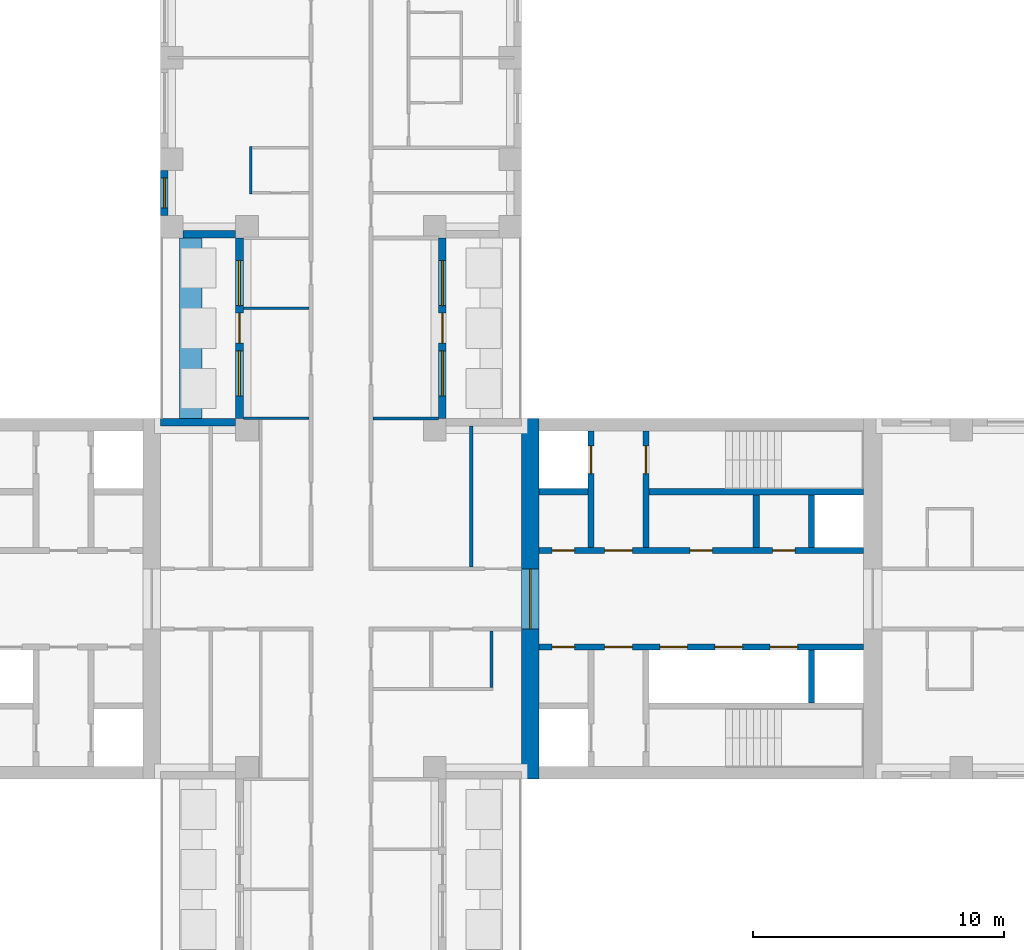
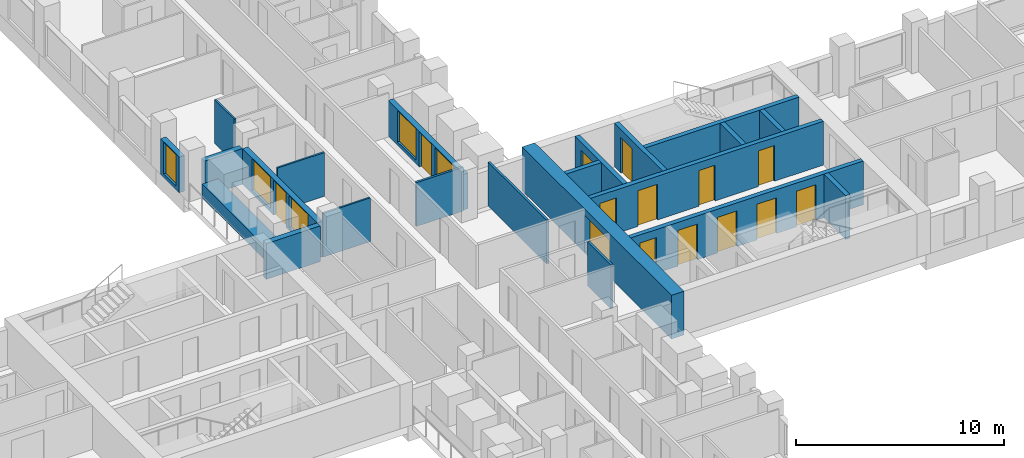
# One storey, part 8 of 15: 22 walls, 14 doors, 5 windows, 19 openings.
"""IFC4 building model written with IfcOpenShell, lengths in metres."""

from ifc_helpers import new_model, si_unit, direction, frame, frame_2d, origin, place, context, subcontext, project, spatial, rectangle, extrude, material, layer, layer_set, type_object, element, fill, save


model = new_model("IFC4")

# Units and contexts
model_context = context("Model", 3, precision=1e-05, world=origin(), true_north=direction((0.0, 1.0)))
body_context = subcontext(model_context, "Body", "Model", "MODEL_VIEW")
ifc_project = project(units=[si_unit("LENGTHUNIT", "METRE"), si_unit("AREAUNIT", "SQUARE_METRE"), si_unit("VOLUMEUNIT", "CUBIC_METRE"), si_unit("PLANEANGLEUNIT", "RADIAN"), si_unit("MASSUNIT", "GRAM", prefix="KILO")], contexts=[model_context])

# Site, building, storey
site_placement = place(None, origin())
site = spatial("IfcSite", under=ifc_project, at=site_placement, CompositionType="ELEMENT")
building_placement = place(site_placement, origin())
building = spatial("IfcBuilding", under=site, at=building_placement, Name="Fustian Cross Tower", CompositionType="ELEMENT")
storey_placement = place(building_placement, frame((0.0, 0.0, 53.699951171875)))
storey = spatial("IfcBuildingStorey", under=building, at=storey_placement, Name="L16", CompositionType="ELEMENT", Elevation=53.699951171875)

# Wall, opening, door
ifc_material_1 = material(Name="Concrete C80/95", Category="concrete")
ifc_layer_1 = layer(ifc_material_1, 0.699951171875)
ifc_layer_set_1 = layer_set([ifc_layer_1], Name="Concrete C80/95")
wall_type_1 = type_object("IfcWallType", Name="CORE END WALL 700 C80/95", PredefinedType="SHEAR", material=ifc_layer_set_1)
wall_1_placement = place(storey_placement, frame((7.550048828125, -7.199951171875, 0.0), z_axis=(0.0, 0.0, 1.0), x_axis=(0.0, 1.0, 0.0)))
wall_1 = element("IfcWall", 1, at=wall_1_placement, inside=storey, type_object=wall_type_1, Name="Core end wall", PredefinedType="SHEAR", context=body_context, shape_type="SweptSolid", body=[
    extrude(rectangle(XDim=14.39990234375, YDim=0.699951171875, at=frame_2d((7.199951171875, 0.0))), origin(), (0.0, 0.0, 1.0), 2.574951171875),
])
opening_1_placement = place(wall_1_placement, frame((6.0, 0.0, 0.0)))
opening_1 = element("IfcOpeningElement", 2, at=opening_1_placement, cuts=wall_1, Name="Opening CD-06-12", PredefinedType="OPENING", context=body_context, shape_type="SweptSolid", body=[
    extrude(rectangle(XDim=2.39990234375, YDim=2.199951171875, at=frame_2d((1.199951171875, 1.10009765625))), frame((0.0, 0.35986328125, 0.0), z_axis=(0.0, -1.0, 0.0), x_axis=(1.0, 0.0, 0.0)), (0.0, 0.0, 1.0), 0.719970703125),
])
ifc_material_2 = material(Name="Steel", Category="steel")
door_type_1 = type_object("IfcDoorType", Name="FIRE DOOR FD30S DOUBLE 2400X2200", OperationType="DOUBLE_DOOR_DOUBLE_SWING", PredefinedType="DOOR", material=ifc_material_2)
door_1_placement = place(opening_1_placement, frame((2.39990234375, 0.0, 0.0), z_axis=(0.0, 0.0, 1.0), x_axis=(-1.0, 0.0, 0.0)))
door_1 = element("IfcDoor", 3, at=door_1_placement, inside=storey, type_object=door_type_1, Name="Core door CD-06-12", OperationType="DOUBLE_DOOR_DOUBLE_SWING", OverallHeight=2.199951171875, OverallWidth=2.39990234375, PredefinedType="DOOR", context=body_context, shape_type="SweptSolid", body=[
    extrude(rectangle(XDim=2.39990234375, YDim=2.199951171875, at=frame_2d((1.199951171875, 1.10009765625))), frame((0.0, 0.02490234375, 0.0), z_axis=(0.0, -1.0, 0.0), x_axis=(1.0, 0.0, 0.0)), (0.0, 0.0, 1.0), 0.050048828125),
])
fill(opening_1, door_1)

# Wall, openings, doors
ifc_material_3 = material(Name="Concrete C50/60", Category="concrete")
ifc_layer_2 = layer(ifc_material_3, 0.25)
ifc_layer_set_2 = layer_set([ifc_layer_2], Name="Concrete C50/60")
wall_type_2 = type_object("IfcWallType", Name="CORE LOBBY WALL 250 C50/60", PredefinedType="SHEAR", material=ifc_layer_set_2)
wall_2_placement = place(storey_placement, frame((7.89990234375, 1.925048828125, 0.0), z_axis=(0.0, 0.0, 1.0), x_axis=(1.0, 0.0, 0.0)))
wall_2 = element("IfcWall", 4, at=wall_2_placement, inside=storey, type_object=wall_type_2, Name="Core lobby wall", PredefinedType="SHEAR", context=body_context, shape_type="SweptSolid", body=[
    extrude(rectangle(XDim=12.9501953125, YDim=0.25, at=frame_2d((6.47509765625, 0.0))), origin(), (0.0, 0.0, 1.0), 2.574951171875),
])
opening_2_placement = place(wall_2_placement, frame((0.52490234375, 0.0, 0.0)))
opening_2 = element("IfcOpeningElement", 5, at=opening_2_placement, cuts=wall_2, Name="Opening CD-06-08", PredefinedType="OPENING", context=body_context, shape_type="SweptSolid", body=[
    extrude(rectangle(XDim=0.89990234375, YDim=2.10009765625, at=frame_2d((0.449951171875, 1.050048828125))), frame((0.0, 0.135009765625, 0.0), z_axis=(0.0, -1.0, 0.0), x_axis=(1.0, 0.0, 0.0)), (0.0, 0.0, 1.0), 0.27001953125),
])
opening_3_placement = place(wall_2_placement, frame((2.625, 0.0, 0.0)))
opening_3 = element("IfcOpeningElement", 6, at=opening_3_placement, cuts=wall_2, Name="Opening CD-06-10", PredefinedType="OPENING", context=body_context, shape_type="SweptSolid", body=[
    extrude(rectangle(XDim=1.10009765625, YDim=2.10009765625, at=frame_2d((0.550048828125, 1.050048828125))), frame((0.0, 0.135009765625, 0.0), z_axis=(0.0, -1.0, 0.0), x_axis=(1.0, 0.0, 0.0)), (0.0, 0.0, 1.0), 0.27001953125),
])
opening_4_placement = place(wall_2_placement, frame((6.02490234375, 0.0, 0.0)))
opening_4 = element("IfcOpeningElement", 7, at=opening_4_placement, cuts=wall_2, Name="Opening CD-06-14", PredefinedType="OPENING", context=body_context, shape_type="SweptSolid", body=[
    extrude(rectangle(XDim=0.89990234375, YDim=2.10009765625, at=frame_2d((0.449951171875, 1.050048828125))), frame((0.0, 0.135009765625, 0.0), z_axis=(0.0, -1.0, 0.0), x_axis=(1.0, 0.0, 0.0)), (0.0, 0.0, 1.0), 0.27001953125),
])
opening_5_placement = place(wall_2_placement, frame((9.324951171875, 0.0, 0.0)))
opening_5 = element("IfcOpeningElement", 8, at=opening_5_placement, cuts=wall_2, Name="Opening CD-06-15", PredefinedType="OPENING", context=body_context, shape_type="SweptSolid", body=[
    extrude(rectangle(XDim=0.89990234375, YDim=2.10009765625, at=frame_2d((0.449951171875, 1.050048828125))), frame((0.0, 0.135009765625, 0.0), z_axis=(0.0, -1.0, 0.0), x_axis=(1.0, 0.0, 0.0)), (0.0, 0.0, 1.0), 0.27001953125),
])
ifc_material_4 = material(Name="Steel", Category="steel")
door_type_2 = type_object("IfcDoorType", Name="FIRE DOOR FD30S 900X2100", OperationType="SINGLE_SWING_LEFT", PredefinedType="DOOR", material=ifc_material_4)
door_2_placement = place(opening_4_placement, origin())
door_2 = element("IfcDoor", 9, at=door_2_placement, inside=storey, type_object=door_type_2, Name="Core door CD-06-14", OperationType="SINGLE_SWING_RIGHT", OverallHeight=2.10009765625, OverallWidth=0.89990234375, PredefinedType="DOOR", context=body_context, shape_type="SweptSolid", body=[
    extrude(rectangle(XDim=0.89990234375, YDim=2.10009765625, at=frame_2d((0.449951171875, 1.050048828125))), frame((0.0, 0.02490234375, 0.0), z_axis=(0.0, -1.0, 0.0), x_axis=(1.0, 0.0, 0.0)), (0.0, 0.0, 1.0), 0.050048828125),
])
fill(opening_4, door_2)
door_3_placement = place(opening_5_placement, origin())
door_3 = element("IfcDoor", 10, at=door_3_placement, inside=storey, type_object=door_type_2, Name="Core door CD-06-15", OperationType="SINGLE_SWING_LEFT", OverallHeight=2.10009765625, OverallWidth=0.89990234375, PredefinedType="DOOR", context=body_context, shape_type="SweptSolid", body=[
    extrude(rectangle(XDim=0.89990234375, YDim=2.10009765625, at=frame_2d((0.449951171875, 1.050048828125))), frame((0.0, 0.02490234375, 0.0), z_axis=(0.0, -1.0, 0.0), x_axis=(1.0, 0.0, 0.0)), (0.0, 0.0, 1.0), 0.050048828125),
])
fill(opening_5, door_3)
ifc_material_5 = material(Name="Steel", Category="steel")
door_type_3 = type_object("IfcDoorType", Name="FIRE DOOR FD60S 1100X2100", OperationType="SINGLE_SWING_LEFT", PredefinedType="DOOR", material=ifc_material_5)
door_4_placement = place(opening_3_placement, frame((1.10009765625, 0.0, 0.0), z_axis=(0.0, 0.0, 1.0), x_axis=(-1.0, 0.0, 0.0)))
door_4 = element("IfcDoor", 11, at=door_4_placement, inside=storey, type_object=door_type_3, Name="Core door CD-06-10", OperationType="SINGLE_SWING_RIGHT", OverallHeight=2.10009765625, OverallWidth=1.10009765625, PredefinedType="DOOR", context=body_context, shape_type="SweptSolid", body=[
    extrude(rectangle(XDim=1.10009765625, YDim=2.10009765625, at=frame_2d((0.550048828125, 1.050048828125))), frame((0.0, 0.02490234375, 0.0), z_axis=(0.0, -1.0, 0.0), x_axis=(1.0, 0.0, 0.0)), (0.0, 0.0, 1.0), 0.050048828125),
])
fill(opening_3, door_4)
ifc_material_6 = material(Name="Steel", Category="steel")
door_type_4 = type_object("IfcDoorType", Name="FIRE DOOR FD60S 900X2100", OperationType="SINGLE_SWING_LEFT", PredefinedType="DOOR", material=ifc_material_6)
door_5_placement = place(opening_2_placement, origin())
door_5 = element("IfcDoor", 12, at=door_5_placement, inside=storey, type_object=door_type_4, Name="Core door CD-06-08", OperationType="SINGLE_SWING_LEFT", OverallHeight=2.10009765625, OverallWidth=0.89990234375, PredefinedType="DOOR", context=body_context, shape_type="SweptSolid", body=[
    extrude(rectangle(XDim=0.89990234375, YDim=2.10009765625, at=frame_2d((0.449951171875, 1.050048828125))), frame((0.0, 0.02490234375, 0.0), z_axis=(0.0, -1.0, 0.0), x_axis=(1.0, 0.0, 0.0)), (0.0, 0.0, 1.0), 0.050048828125),
])
fill(opening_2, door_5)

wall_3_placement = place(storey_placement, frame((7.89990234375, -1.925048828125, 0.0), z_axis=(0.0, 0.0, 1.0), x_axis=(1.0, 0.0, 0.0)))
wall_3 = element("IfcWall", 13, at=wall_3_placement, inside=storey, type_object=wall_type_2, Name="Core lobby wall", PredefinedType="SHEAR", context=body_context, shape_type="SweptSolid", body=[
    extrude(rectangle(XDim=12.9501953125, YDim=0.25, at=frame_2d((6.47509765625, 0.0))), origin(), (0.0, 0.0, 1.0), 2.574951171875),
])
opening_6_placement = place(wall_3_placement, frame((4.824951171875, 0.0, 0.0)))
opening_6 = element("IfcOpeningElement", 14, at=opening_6_placement, cuts=wall_3, Name="Opening LD", PredefinedType="OPENING", context=body_context, shape_type="SweptSolid", body=[
    extrude(rectangle(XDim=1.10009765625, YDim=2.10009765625, at=frame_2d((0.550048828125, 1.050048828125))), frame((0.0, 0.135009765625, 0.0), z_axis=(0.0, -1.0, 0.0), x_axis=(1.0, 0.0, 0.0)), (0.0, 0.0, 1.0), 0.27001953125),
])
opening_7_placement = place(wall_3_placement, frame((7.02490234375, 0.0, 0.0)))
opening_7 = element("IfcOpeningElement", 15, at=opening_7_placement, cuts=wall_3, Name="Opening LD", PredefinedType="OPENING", context=body_context, shape_type="SweptSolid", body=[
    extrude(rectangle(XDim=1.10009765625, YDim=2.10009765625, at=frame_2d((0.550048828125, 1.050048828125))), frame((0.0, 0.135009765625, 0.0), z_axis=(0.0, -1.0, 0.0), x_axis=(1.0, 0.0, 0.0)), (0.0, 0.0, 1.0), 0.27001953125),
])
opening_8_placement = place(wall_3_placement, frame((9.22509765625, 0.0, 0.0)))
opening_8 = element("IfcOpeningElement", 16, at=opening_8_placement, cuts=wall_3, Name="Opening LD", PredefinedType="OPENING", context=body_context, shape_type="SweptSolid", body=[
    extrude(rectangle(XDim=1.10009765625, YDim=2.10009765625, at=frame_2d((0.550048828125, 1.050048828125))), frame((0.0, 0.135009765625, 0.0), z_axis=(0.0, -1.0, 0.0), x_axis=(1.0, 0.0, 0.0)), (0.0, 0.0, 1.0), 0.27001953125),
])
opening_9_placement = place(wall_3_placement, frame((0.52490234375, 0.0, 0.0)))
opening_9 = element("IfcOpeningElement", 17, at=opening_9_placement, cuts=wall_3, Name="Opening CD-06-09", PredefinedType="OPENING", context=body_context, shape_type="SweptSolid", body=[
    extrude(rectangle(XDim=0.89990234375, YDim=2.10009765625, at=frame_2d((0.449951171875, 1.050048828125))), frame((0.0, 0.135009765625, 0.0), z_axis=(0.0, -1.0, 0.0), x_axis=(1.0, 0.0, 0.0)), (0.0, 0.0, 1.0), 0.27001953125),
])
opening_10_placement = place(wall_3_placement, frame((2.625, 0.0, 0.0)))
opening_10 = element("IfcOpeningElement", 18, at=opening_10_placement, cuts=wall_3, Name="Opening CD-06-11", PredefinedType="OPENING", context=body_context, shape_type="SweptSolid", body=[
    extrude(rectangle(XDim=1.10009765625, YDim=2.10009765625, at=frame_2d((0.550048828125, 1.050048828125))), frame((0.0, 0.135009765625, 0.0), z_axis=(0.0, -1.0, 0.0), x_axis=(1.0, 0.0, 0.0)), (0.0, 0.0, 1.0), 0.27001953125),
])
ifc_material_7 = material(Name="Steel", Category="steel")
door_type_5 = type_object("IfcDoorType", Name="FIRE DOOR FD30S 1100X2100", OperationType="SINGLE_SWING_LEFT", PredefinedType="DOOR", material=ifc_material_7)
door_6_placement = place(opening_10_placement, frame((1.10009765625, 0.0, 0.0), z_axis=(0.0, 0.0, 1.0), x_axis=(-1.0, 0.0, 0.0)))
door_6 = element("IfcDoor", 19, at=door_6_placement, inside=storey, type_object=door_type_5, Name="Core door CD-06-11", OperationType="SINGLE_SWING_RIGHT", OverallHeight=2.10009765625, OverallWidth=1.10009765625, PredefinedType="DOOR", context=body_context, shape_type="SweptSolid", body=[
    extrude(rectangle(XDim=1.10009765625, YDim=2.10009765625, at=frame_2d((0.550048828125, 1.050048828125))), frame((0.0, 0.02490234375, 0.0), z_axis=(0.0, -1.0, 0.0), x_axis=(1.0, 0.0, 0.0)), (0.0, 0.0, 1.0), 0.050048828125),
])
fill(opening_10, door_6)
door_7_placement = place(opening_9_placement, frame((0.89990234375, 0.0, 0.0), z_axis=(0.0, 0.0, 1.0), x_axis=(-1.0, 0.0, 0.0)))
door_7 = element("IfcDoor", 20, at=door_7_placement, inside=storey, type_object=door_type_2, Name="Core door CD-06-09", OperationType="SINGLE_SWING_RIGHT", OverallHeight=2.10009765625, OverallWidth=0.89990234375, PredefinedType="DOOR", context=body_context, shape_type="SweptSolid", body=[
    extrude(rectangle(XDim=0.89990234375, YDim=2.10009765625, at=frame_2d((0.449951171875, 1.050048828125))), frame((0.0, 0.02490234375, 0.0), z_axis=(0.0, -1.0, 0.0), x_axis=(1.0, 0.0, 0.0)), (0.0, 0.0, 1.0), 0.050048828125),
])
fill(opening_9, door_7)
ifc_material_8 = material(Name="Stainless steel", Category="steel")
door_type_6 = type_object("IfcDoorType", Name="LIFT LANDING DOOR 1100X2100", OperationType="SLIDING_TO_LEFT", PredefinedType="DOOR", material=ifc_material_8)
door_8_placement = place(opening_6_placement, origin())
door_8 = element("IfcDoor", 21, at=door_8_placement, inside=storey, type_object=door_type_6, Name="Landing door LR1", OperationType="SLIDING_TO_LEFT", OverallHeight=2.10009765625, OverallWidth=1.10009765625, PredefinedType="DOOR", context=body_context, shape_type="SweptSolid", body=[
    extrude(rectangle(XDim=1.10009765625, YDim=2.10009765625, at=frame_2d((0.550048828125, 1.050048828125))), frame((0.0, 0.02490234375, 0.0), z_axis=(0.0, -1.0, 0.0), x_axis=(1.0, 0.0, 0.0)), (0.0, 0.0, 1.0), 0.050048828125),
])
fill(opening_6, door_8)
door_9_placement = place(opening_7_placement, origin())
door_9 = element("IfcDoor", 22, at=door_9_placement, inside=storey, type_object=door_type_6, Name="Landing door LR2", OperationType="SLIDING_TO_LEFT", OverallHeight=2.10009765625, OverallWidth=1.10009765625, PredefinedType="DOOR", context=body_context, shape_type="SweptSolid", body=[
    extrude(rectangle(XDim=1.10009765625, YDim=2.10009765625, at=frame_2d((0.550048828125, 1.050048828125))), frame((0.0, 0.02490234375, 0.0), z_axis=(0.0, -1.0, 0.0), x_axis=(1.0, 0.0, 0.0)), (0.0, 0.0, 1.0), 0.050048828125),
])
fill(opening_7, door_9)
door_10_placement = place(opening_8_placement, origin())
door_10 = element("IfcDoor", 23, at=door_10_placement, inside=storey, type_object=door_type_6, Name="Landing door LR3", OperationType="SLIDING_TO_LEFT", OverallHeight=2.10009765625, OverallWidth=1.10009765625, PredefinedType="DOOR", context=body_context, shape_type="SweptSolid", body=[
    extrude(rectangle(XDim=1.10009765625, YDim=2.10009765625, at=frame_2d((0.550048828125, 1.050048828125))), frame((0.0, 0.02490234375, 0.0), z_axis=(0.0, -1.0, 0.0), x_axis=(1.0, 0.0, 0.0)), (0.0, 0.0, 1.0), 0.050048828125),
])
fill(opening_8, door_10)

# Walls
ifc_material_9 = material(Name="Concrete C50/60", Category="concrete")
ifc_layer_3 = layer(ifc_material_9, 0.25)
ifc_layer_set_3 = layer_set([ifc_layer_3], Name="Concrete C50/60")
wall_type_3 = type_object("IfcWallType", Name="CORE SHAFT WALL 250 C50/60", PredefinedType="SHEAR", material=ifc_layer_set_3)
wall_4_placement = place(storey_placement, frame((7.89990234375, 4.27490234375, 0.0), z_axis=(0.0, 0.0, 1.0), x_axis=(1.0, 0.0, 0.0)))
element("IfcWall", 24, at=wall_4_placement, inside=storey, type_object=wall_type_3, Name="Core shaft wall", PredefinedType="SHEAR", context=body_context, shape_type="SweptSolid", body=[
    extrude(rectangle(XDim=1.9501953125, YDim=0.25, at=frame_2d((0.97509765625, 0.0))), origin(), (0.0, 0.0, 1.0), 2.574951171875),
])
wall_5_placement = place(storey_placement, frame((12.300048828125, 4.27490234375, 0.0), z_axis=(0.0, 0.0, 1.0), x_axis=(1.0, 0.0, 0.0)))
element("IfcWall", 25, at=wall_5_placement, inside=storey, type_object=wall_type_3, Name="Core shaft wall", PredefinedType="SHEAR", context=body_context, shape_type="SweptSolid", body=[
    extrude(rectangle(XDim=8.550048828125, YDim=0.25, at=frame_2d((4.27490234375, 0.0))), origin(), (0.0, 0.0, 1.0), 2.574951171875),
])

# Wall, opening, door
wall_6_placement = place(storey_placement, frame((9.97509765625, 2.050048828125, 0.0), z_axis=(0.0, 0.0, 1.0), x_axis=(0.0, 1.0, 0.0)))
wall_6 = element("IfcWall", 26, at=wall_6_placement, inside=storey, type_object=wall_type_3, Name="Core shaft wall", PredefinedType="SHEAR", context=body_context, shape_type="SweptSolid", body=[
    extrude(rectangle(XDim=4.64990234375, YDim=0.25, at=frame_2d((2.324951171875, 0.0))), origin(), (0.0, 0.0, 1.0), 2.574951171875),
])
opening_11_placement = place(wall_6_placement, frame((2.949951171875, 0.0, 0.0)))
opening_11 = element("IfcOpeningElement", 27, at=opening_11_placement, cuts=wall_6, Name="Opening LD", PredefinedType="OPENING", context=body_context, shape_type="SweptSolid", body=[
    extrude(rectangle(XDim=1.10009765625, YDim=2.10009765625, at=frame_2d((0.550048828125, 1.050048828125))), frame((0.0, 0.135009765625, 0.0), z_axis=(0.0, -1.0, 0.0), x_axis=(1.0, 0.0, 0.0)), (0.0, 0.0, 1.0), 0.27001953125),
])
door_11_placement = place(opening_11_placement, origin())
door_11 = element("IfcDoor", 28, at=door_11_placement, inside=storey, type_object=door_type_6, Name="Landing door FL1", OperationType="SLIDING_TO_LEFT", OverallHeight=2.10009765625, OverallWidth=1.10009765625, PredefinedType="DOOR", context=body_context, shape_type="SweptSolid", body=[
    extrude(rectangle(XDim=1.10009765625, YDim=2.10009765625, at=frame_2d((0.550048828125, 1.050048828125))), frame((0.0, 0.02490234375, 0.0), z_axis=(0.0, -1.0, 0.0), x_axis=(1.0, 0.0, 0.0)), (0.0, 0.0, 1.0), 0.050048828125),
])
fill(opening_11, door_11)

wall_7_placement = place(storey_placement, frame((12.175048828125, 2.050048828125, 0.0), z_axis=(0.0, 0.0, 1.0), x_axis=(0.0, 1.0, 0.0)))
wall_7 = element("IfcWall", 29, at=wall_7_placement, inside=storey, type_object=wall_type_3, Name="Core shaft wall", PredefinedType="SHEAR", context=body_context, shape_type="SweptSolid", body=[
    extrude(rectangle(XDim=4.64990234375, YDim=0.25, at=frame_2d((2.324951171875, 0.0))), origin(), (0.0, 0.0, 1.0), 2.574951171875),
])
opening_12_placement = place(wall_7_placement, frame((2.949951171875, 0.0, 0.0)))
opening_12 = element("IfcOpeningElement", 30, at=opening_12_placement, cuts=wall_7, Name="Opening CD-06-06", PredefinedType="OPENING", context=body_context, shape_type="SweptSolid", body=[
    extrude(rectangle(XDim=1.10009765625, YDim=2.10009765625, at=frame_2d((0.550048828125, 1.050048828125))), frame((0.0, 0.135009765625, 0.0), z_axis=(0.0, -1.0, 0.0), x_axis=(1.0, 0.0, 0.0)), (0.0, 0.0, 1.0), 0.27001953125),
])
door_12_placement = place(opening_12_placement, frame((1.10009765625, 0.0, 0.0), z_axis=(0.0, 0.0, 1.0), x_axis=(-1.0, 0.0, 0.0)))
door_12 = element("IfcDoor", 31, at=door_12_placement, inside=storey, type_object=door_type_3, Name="Core door CD-06-06", OperationType="SINGLE_SWING_RIGHT", OverallHeight=2.10009765625, OverallWidth=1.10009765625, PredefinedType="DOOR", context=body_context, shape_type="SweptSolid", body=[
    extrude(rectangle(XDim=1.10009765625, YDim=2.10009765625, at=frame_2d((0.550048828125, 1.050048828125))), frame((0.0, 0.02490234375, 0.0), z_axis=(0.0, -1.0, 0.0), x_axis=(1.0, 0.0, 0.0)), (0.0, 0.0, 1.0), 0.050048828125),
])
fill(opening_12, door_12)

# Walls
ifc_material_10 = material(Name="Plasterboard on steel stud", Category="steel")
ifc_layer_4 = layer(ifc_material_10, 0.10009765625)
ifc_layer_set_4 = layer_set([ifc_layer_4], Name="Plasterboard on steel stud")
wall_type_4 = type_object("IfcWallType", Name="PARTITION 100 STUD", PredefinedType="PARTITIONING", material=ifc_layer_set_4)
for number, where, z_axis, x_axis, name in (
    (32, (-3.89990234375, 7.199951171875, 0.0), (0.0, 0.0, 1.0), (1.0, 0.0, 0.0), "Partition 31"),
    (33, (-3.89990234375, 11.60009765625, 0.0), (0.0, 0.0, 1.0), (1.0, 0.0, 0.0), "Partition 32"),
):
    element("IfcWall", number, at=place(storey_placement, frame(where, z_axis=z_axis, x_axis=x_axis)), inside=storey, type_object=wall_type_4, Name=name, PredefinedType="PARTITIONING", context=body_context, shape_type="SweptSolid", body=[
        extrude(rectangle(XDim=2.625, YDim=0.10009765625, at=frame_2d((1.3125, 0.0))), origin(), (0.0, 0.0, 1.0), 2.574951171875),
    ])
wall_8_placement = place(storey_placement, frame((-3.60009765625, 16.14990234375, 0.0), z_axis=(0.0, 0.0, 1.0), x_axis=(0.0, 1.0, 0.0)))
element("IfcWall", 34, at=wall_8_placement, inside=storey, type_object=wall_type_4, Name="Partition 34", PredefinedType="PARTITIONING", context=body_context, shape_type="SweptSolid", body=[
    extrude(rectangle(XDim=1.900146484375, YDim=0.10009765625, at=frame_2d((0.9501953125, 0.0))), origin(), (0.0, 0.0, 1.0), 2.574951171875),
])
ifc_material_11 = material(Name="Concrete C40/50", Category="concrete")
ifc_layer_5 = layer(ifc_material_11, 0.89990234375)
ifc_layer_set_5 = layer_set([ifc_layer_5], Name="Concrete C40/50")
wall_type_5 = type_object("IfcWallType", Name="PK1 PLANTER 900", PredefinedType="PARAPET", material=ifc_layer_set_5)
wall_9_placement = place(storey_placement, frame((-6.0, 7.199951171875, 0.0), z_axis=(0.0, 0.0, 1.0), x_axis=(0.0, 1.0, 0.0)))
element("IfcWall", 35, at=wall_9_placement, inside=storey, type_object=wall_type_5, Name="PLANTER", PredefinedType="PARAPET", context=body_context, shape_type="SweptSolid", body=[
    extrude(rectangle(XDim=7.199951171875, YDim=0.89990234375, at=frame_2d((3.60009765625, 0.0))), origin(), (0.0, 0.0, 1.0), 0.800048828125),
])
ifc_material_12 = material(Name="Concrete C40/50", Category="concrete")
ifc_layer_6 = layer(ifc_material_12, 0.25)
ifc_layer_set_6 = layer_set([ifc_layer_6], Name="Concrete C40/50")
wall_type_6 = type_object("IfcWallType", Name="SHAFT PARTITION WALL 250 C40/50", PredefinedType="PARTITIONING", material=ifc_layer_set_6)
for number, where, z_axis, x_axis, name in (
    (36, (16.574951171875, 2.050048828125, 0.0), (0.0, 0.0, 1.0), (0.0, 1.0, 0.0), "Core shaft wall"),
    (37, (18.77490234375, 2.050048828125, 0.0), (0.0, 0.0, 1.0), (0.0, 1.0, 0.0), "Core shaft wall"),
    (38, (18.77490234375, -2.050048828125, 0.0), (0.0, 0.0, 1.0), (0.0, -1.0, 0.0), "Core shaft wall"),
):
    element("IfcWall", number, at=place(storey_placement, frame(where, z_axis=z_axis, x_axis=x_axis)), inside=storey, type_object=wall_type_6, Name=name, PredefinedType="PARTITIONING", context=body_context, shape_type="SweptSolid", body=[
        extrude(rectangle(XDim=2.099853515625, YDim=0.25, at=frame_2d((1.0498046875, 0.0))), origin(), (0.0, 0.0, 1.0), 2.574951171875),
    ])
ifc_material_13 = material(Name="Plasterboard on steel stud", Category="steel")
ifc_layer_7 = layer(ifc_material_13, 0.125)
ifc_layer_set_7 = layer_set([ifc_layer_7], Name="Plasterboard on steel stud")
wall_type_7 = type_object("IfcWallType", Name="WET WALL 125 STUD", PredefinedType="PARTITIONING", material=ifc_layer_set_7)
wall_10_placement = place(storey_placement, frame((1.27490234375, 7.199951171875, 0.0), z_axis=(0.0, 0.0, 1.0), x_axis=(1.0, 0.0, 0.0)))
element("IfcWall", 39, at=wall_10_placement, inside=storey, type_object=wall_type_7, Name="Partition 59", PredefinedType="PARTITIONING", context=body_context, shape_type="SweptSolid", body=[
    extrude(rectangle(XDim=2.625, YDim=0.125, at=frame_2d((1.3125, 0.0))), origin(), (0.0, 0.0, 1.0), 2.574951171875),
])
wall_11_placement = place(storey_placement, frame((5.199951171875, 1.27490234375, 0.0), z_axis=(0.0, 0.0, 1.0), x_axis=(0.0, 1.0, 0.0)))
element("IfcWall", 40, at=wall_11_placement, inside=storey, type_object=wall_type_7, Name="Partition 86", PredefinedType="PARTITIONING", context=body_context, shape_type="SweptSolid", body=[
    extrude(rectangle(XDim=5.625, YDim=0.125, at=frame_2d((2.8125, 0.0))), origin(), (0.0, 0.0, 1.0), 2.574951171875),
])
wall_12_placement = place(storey_placement, frame((6.0, -3.53759765625, 0.0), z_axis=(0.0, 0.0, 1.0), x_axis=(0.0, 1.0, 0.0)))
element("IfcWall", 41, at=wall_12_placement, inside=storey, type_object=wall_type_7, Name="Partition 87", PredefinedType="PARTITIONING", context=body_context, shape_type="SweptSolid", body=[
    extrude(rectangle(XDim=2.2626953125, YDim=0.125, at=frame_2d((1.13134765625, 0.0))), origin(), (0.0, 0.0, 1.0), 2.574951171875),
])

# Wall, openings, door, windows
ifc_material_14 = material(Name="Dark aluminium cladding on insulated backing wall", Category="aluminium")
ifc_layer_8 = layer(ifc_material_14, 0.300048828125)
ifc_layer_set_8 = layer_set([ifc_layer_8], Name="Dark aluminium cladding on insulated backing wall")
wall_type_8 = type_object("IfcWallType", Name="XW1 EXTERNAL WALL 300", PredefinedType="SOLIDWALL", material=ifc_layer_set_8)
wall_13_placement = place(storey_placement, frame((4.050048828125, 7.199951171875, 0.0), z_axis=(0.0, 0.0, 1.0), x_axis=(0.0, 1.0, 0.0)))
wall_13 = element("IfcWall", 42, at=wall_13_placement, inside=storey, type_object=wall_type_8, Name="External wall", PredefinedType="SOLIDWALL", context=body_context, shape_type="SweptSolid", body=[
    extrude(rectangle(XDim=7.199951171875, YDim=0.300048828125, at=frame_2d((3.60009765625, 0.0))), origin(), (0.0, 0.0, 1.0), 2.10009765625),
])
opening_13_placement = place(wall_13_placement, frame((3.0, 0.0, 0.0)))
opening_13 = element("IfcOpeningElement", 43, at=opening_13_placement, cuts=wall_13, Name="Opening XD1", PredefinedType="OPENING", context=body_context, shape_type="SweptSolid", body=[
    extrude(rectangle(XDim=1.199951171875, YDim=2.050048828125, at=frame_2d((0.60009765625, 1.02490234375))), frame((0.0, 0.159912109375, 0.0), z_axis=(0.0, -1.0, 0.0), x_axis=(1.0, 0.0, 0.0)), (0.0, 0.0, 1.0), 0.320068359375),
])
opening_14_placement = place(wall_13_placement, frame((0.89990234375, 0.0, 0.199951171875)))
opening_14 = element("IfcOpeningElement", 44, at=opening_14_placement, cuts=wall_13, Name="Opening WN2", PredefinedType="OPENING", context=body_context, shape_type="SweptSolid", body=[
    extrude(rectangle(XDim=1.800048828125, YDim=1.85009765625, at=frame_2d((0.89990234375, 0.925048828125))), frame((0.0, 0.159912109375, 0.0), z_axis=(0.0, -1.0, 0.0), x_axis=(1.0, 0.0, 0.0)), (0.0, 0.0, 1.0), 0.320068359375),
])
opening_15_placement = place(wall_13_placement, frame((4.5, 0.0, 0.199951171875)))
opening_15 = element("IfcOpeningElement", 45, at=opening_15_placement, cuts=wall_13, Name="Opening WN2", PredefinedType="OPENING", context=body_context, shape_type="SweptSolid", body=[
    extrude(rectangle(XDim=1.800048828125, YDim=1.85009765625, at=frame_2d((0.89990234375, 0.925048828125))), frame((0.0, 0.159912109375, 0.0), z_axis=(0.0, -1.0, 0.0), x_axis=(1.0, 0.0, 0.0)), (0.0, 0.0, 1.0), 0.320068359375),
])
ifc_material_15 = material(Name="Dark anodised aluminium and double glazing", Category="aluminium")
door_type_7 = type_object("IfcDoorType", Name="ED1 BALCONY DOOR 1200X2050", OperationType="SINGLE_SWING_LEFT", PredefinedType="DOOR", material=ifc_material_15)
door_13_placement = place(opening_13_placement, origin())
door_13 = element("IfcDoor", 46, at=door_13_placement, inside=storey, type_object=door_type_7, Name="Balcony door", OperationType="SINGLE_SWING_LEFT", OverallHeight=2.050048828125, OverallWidth=1.199951171875, PredefinedType="DOOR", context=body_context, shape_type="SweptSolid", body=[
    extrude(rectangle(XDim=1.199951171875, YDim=2.050048828125, at=frame_2d((0.60009765625, 1.02490234375))), frame((0.0, 0.02490234375, 0.0), z_axis=(0.0, -1.0, 0.0), x_axis=(1.0, 0.0, 0.0)), (0.0, 0.0, 1.0), 0.050048828125),
])
fill(opening_13, door_13)
ifc_material_16 = material(Name="Dark anodised aluminium and double glazing", Category="aluminium")
window_type_1 = type_object("IfcWindowType", Name="WN2 WINDOW 1800X1850", PartitioningType="SINGLE_PANEL", PredefinedType="WINDOW", material=ifc_material_16)
window_1_placement = place(opening_14_placement, origin())
window_1 = element("IfcWindow", 47, at=window_1_placement, inside=storey, type_object=window_type_1, Name="Window", OverallHeight=1.85009765625, OverallWidth=1.800048828125, PartitioningType="SINGLE_PANEL", PredefinedType="WINDOW", context=body_context, shape_type="SweptSolid", body=[
    extrude(rectangle(XDim=1.800048828125, YDim=1.85009765625, at=frame_2d((0.89990234375, 0.925048828125))), frame((0.0, 0.030029296875, 0.0), z_axis=(0.0, -1.0, 0.0), x_axis=(1.0, 0.0, 0.0)), (0.0, 0.0, 1.0), 0.06005859375),
])
fill(opening_14, window_1)
window_2_placement = place(opening_15_placement, origin())
window_2 = element("IfcWindow", 48, at=window_2_placement, inside=storey, type_object=window_type_1, Name="Window", OverallHeight=1.85009765625, OverallWidth=1.800048828125, PartitioningType="SINGLE_PANEL", PredefinedType="WINDOW", context=body_context, shape_type="SweptSolid", body=[
    extrude(rectangle(XDim=1.800048828125, YDim=1.85009765625, at=frame_2d((0.89990234375, 0.925048828125))), frame((0.0, 0.030029296875, 0.0), z_axis=(0.0, -1.0, 0.0), x_axis=(1.0, 0.0, 0.0)), (0.0, 0.0, 1.0), 0.06005859375),
])
fill(opening_15, window_2)

# Wall, opening, window
wall_14_placement = place(storey_placement, frame((-7.050048828125, 17.10009765625, 0.0), z_axis=(0.0, 0.0, 1.0), x_axis=(0.0, -1.0, 0.0)))
wall_14 = element("IfcWall", 49, at=wall_14_placement, inside=storey, type_object=wall_type_8, Name="External wall", PredefinedType="SOLIDWALL", context=body_context, shape_type="SweptSolid", body=[
    extrude(rectangle(XDim=1.800048828125, YDim=0.300048828125, at=frame_2d((0.89990234375, 0.0))), origin(), (0.0, 0.0, 1.0), 2.10009765625),
])
opening_16_placement = place(wall_14_placement, frame((0.300048828125, 0.0, 0.199951171875)))
opening_16 = element("IfcOpeningElement", 50, at=opening_16_placement, cuts=wall_14, Name="Opening WN3", PredefinedType="OPENING", context=body_context, shape_type="SweptSolid", body=[
    extrude(rectangle(XDim=1.199951171875, YDim=1.85009765625, at=frame_2d((0.60009765625, 0.925048828125))), frame((0.0, 0.159912109375, 0.0), z_axis=(0.0, -1.0, 0.0), x_axis=(1.0, 0.0, 0.0)), (0.0, 0.0, 1.0), 0.320068359375),
])
ifc_material_17 = material(Name="Dark anodised aluminium and double glazing", Category="aluminium")
window_type_2 = type_object("IfcWindowType", Name="WN3 WINDOW 1200X1850", PartitioningType="SINGLE_PANEL", PredefinedType="WINDOW", material=ifc_material_17)
window_3_placement = place(opening_16_placement, origin())
window_3 = element("IfcWindow", 51, at=window_3_placement, inside=storey, type_object=window_type_2, Name="Window", OverallHeight=1.85009765625, OverallWidth=1.199951171875, PartitioningType="SINGLE_PANEL", PredefinedType="WINDOW", context=body_context, shape_type="SweptSolid", body=[
    extrude(rectangle(XDim=1.199951171875, YDim=1.85009765625, at=frame_2d((0.60009765625, 0.925048828125))), frame((0.0, 0.030029296875, 0.0), z_axis=(0.0, -1.0, 0.0), x_axis=(1.0, 0.0, 0.0)), (0.0, 0.0, 1.0), 0.06005859375),
])
fill(opening_16, window_3)

# Wall
wall_15_placement = place(storey_placement, frame((-6.300048828125, 14.550048828125, 0.0), z_axis=(0.0, 0.0, 1.0), x_axis=(1.0, 0.0, 0.0)))
element("IfcWall", 52, at=wall_15_placement, inside=storey, type_object=wall_type_8, Name="External wall", PredefinedType="SOLIDWALL", context=body_context, shape_type="SweptSolid", body=[
    extrude(rectangle(XDim=2.10009765625, YDim=0.300048828125, at=frame_2d((1.050048828125, 0.0))), origin(), (0.0, 0.0, 1.0), 2.10009765625),
])

# Wall, openings, door, windows
wall_16_placement = place(storey_placement, frame((-4.050048828125, 14.39990234375, 0.0), z_axis=(0.0, 0.0, 1.0), x_axis=(0.0, -1.0, 0.0)))
wall_16 = element("IfcWall", 53, at=wall_16_placement, inside=storey, type_object=wall_type_8, Name="External wall", PredefinedType="SOLIDWALL", context=body_context, shape_type="SweptSolid", body=[
    extrude(rectangle(XDim=7.199951171875, YDim=0.300048828125, at=frame_2d((3.60009765625, 0.0))), origin(), (0.0, 0.0, 1.0), 2.10009765625),
])
opening_17_placement = place(wall_16_placement, frame((3.0, 0.0, 0.0)))
opening_17 = element("IfcOpeningElement", 54, at=opening_17_placement, cuts=wall_16, Name="Opening XD2", PredefinedType="OPENING", context=body_context, shape_type="SweptSolid", body=[
    extrude(rectangle(XDim=1.199951171875, YDim=2.050048828125, at=frame_2d((0.60009765625, 1.02490234375))), frame((0.0, 0.159912109375, 0.0), z_axis=(0.0, -1.0, 0.0), x_axis=(1.0, 0.0, 0.0)), (0.0, 0.0, 1.0), 0.320068359375),
])
opening_18_placement = place(wall_16_placement, frame((0.89990234375, 0.0, 0.199951171875)))
opening_18 = element("IfcOpeningElement", 55, at=opening_18_placement, cuts=wall_16, Name="Opening WN2", PredefinedType="OPENING", context=body_context, shape_type="SweptSolid", body=[
    extrude(rectangle(XDim=1.800048828125, YDim=1.85009765625, at=frame_2d((0.89990234375, 0.925048828125))), frame((0.0, 0.159912109375, 0.0), z_axis=(0.0, -1.0, 0.0), x_axis=(1.0, 0.0, 0.0)), (0.0, 0.0, 1.0), 0.320068359375),
])
opening_19_placement = place(wall_16_placement, frame((4.5, 0.0, 0.199951171875)))
opening_19 = element("IfcOpeningElement", 56, at=opening_19_placement, cuts=wall_16, Name="Opening WN2", PredefinedType="OPENING", context=body_context, shape_type="SweptSolid", body=[
    extrude(rectangle(XDim=1.800048828125, YDim=1.85009765625, at=frame_2d((0.89990234375, 0.925048828125))), frame((0.0, 0.159912109375, 0.0), z_axis=(0.0, -1.0, 0.0), x_axis=(1.0, 0.0, 0.0)), (0.0, 0.0, 1.0), 0.320068359375),
])
door_14_placement = place(opening_17_placement, origin())
door_14 = element("IfcDoor", 57, at=door_14_placement, inside=storey, type_object=door_type_7, Name="Balcony door", OperationType="SINGLE_SWING_LEFT", OverallHeight=2.050048828125, OverallWidth=1.199951171875, PredefinedType="DOOR", context=body_context, shape_type="SweptSolid", body=[
    extrude(rectangle(XDim=1.199951171875, YDim=2.050048828125, at=frame_2d((0.60009765625, 1.02490234375))), frame((0.0, 0.02490234375, 0.0), z_axis=(0.0, -1.0, 0.0), x_axis=(1.0, 0.0, 0.0)), (0.0, 0.0, 1.0), 0.050048828125),
])
fill(opening_17, door_14)
window_4_placement = place(opening_18_placement, origin())
window_4 = element("IfcWindow", 58, at=window_4_placement, inside=storey, type_object=window_type_1, Name="Window", OverallHeight=1.85009765625, OverallWidth=1.800048828125, PartitioningType="SINGLE_PANEL", PredefinedType="WINDOW", context=body_context, shape_type="SweptSolid", body=[
    extrude(rectangle(XDim=1.800048828125, YDim=1.85009765625, at=frame_2d((0.89990234375, 0.925048828125))), frame((0.0, 0.030029296875, 0.0), z_axis=(0.0, -1.0, 0.0), x_axis=(1.0, 0.0, 0.0)), (0.0, 0.0, 1.0), 0.06005859375),
])
fill(opening_18, window_4)
window_5_placement = place(opening_19_placement, origin())
window_5 = element("IfcWindow", 59, at=window_5_placement, inside=storey, type_object=window_type_1, Name="Window", OverallHeight=1.85009765625, OverallWidth=1.800048828125, PartitioningType="SINGLE_PANEL", PredefinedType="WINDOW", context=body_context, shape_type="SweptSolid", body=[
    extrude(rectangle(XDim=1.800048828125, YDim=1.85009765625, at=frame_2d((0.89990234375, 0.925048828125))), frame((0.0, 0.030029296875, 0.0), z_axis=(0.0, -1.0, 0.0), x_axis=(1.0, 0.0, 0.0)), (0.0, 0.0, 1.0), 0.06005859375),
])
fill(opening_19, window_5)

# Wall
wall_17_placement = place(storey_placement, frame((-4.199951171875, 7.050048828125, 0.0), z_axis=(0.0, 0.0, 1.0), x_axis=(-1.0, 0.0, 0.0)))
element("IfcWall", 60, at=wall_17_placement, inside=storey, type_object=wall_type_8, Name="External wall", PredefinedType="SOLIDWALL", context=body_context, shape_type="SweptSolid", body=[
    extrude(rectangle(XDim=3.0, YDim=0.300048828125, at=frame_2d((1.5, 0.0))), origin(), (0.0, 0.0, 1.0), 2.10009765625),
])

save(model, "model.ifc")
